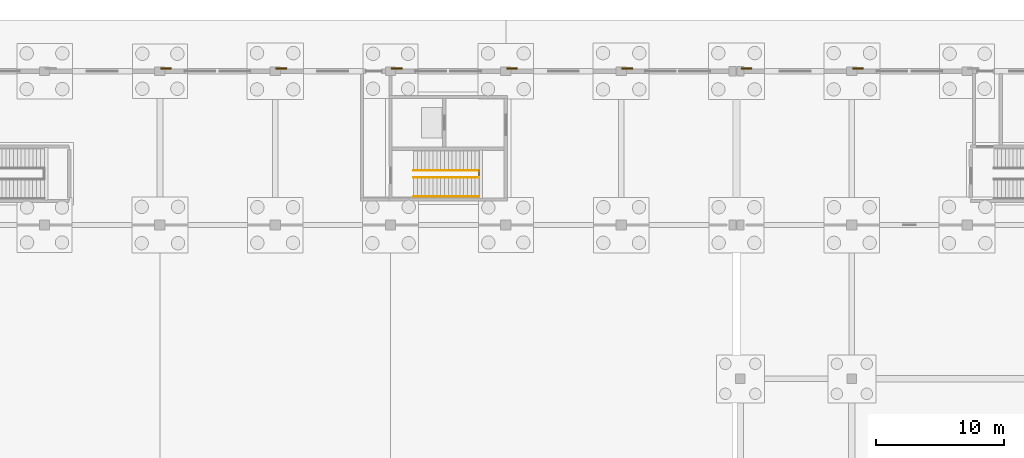
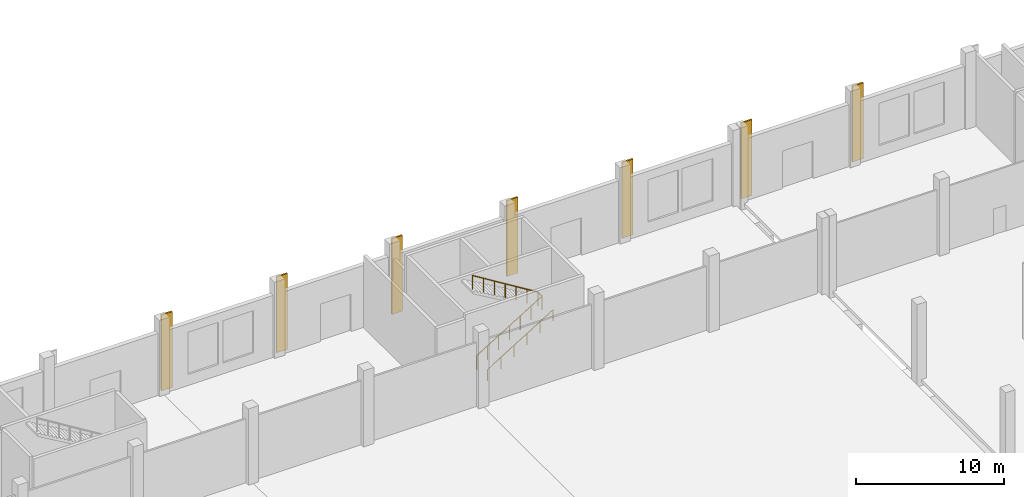
# One storey, part 97 of 99: 7 coverings, 4 railings.
"""IFC4 building model written with IfcOpenShell, lengths in metres."""

from ifc_helpers import new_model, si_unit, direction, frame, origin, origin_2d, place, context, subcontext, project, spatial, rectangle, circle, extrude, material, layer, layer_set, type_object, element, save


model = new_model("IFC4")

# Units and contexts
model_context = context("Model", 3, precision=1e-05, world=origin(), true_north=direction((0.0, 1.0)))
body_context = subcontext(model_context, "Body", "Model", "MODEL_VIEW")
ifc_project = project(units=[si_unit("LENGTHUNIT", "METRE"), si_unit("AREAUNIT", "SQUARE_METRE"), si_unit("VOLUMEUNIT", "CUBIC_METRE"), si_unit("PLANEANGLEUNIT", "RADIAN"), si_unit("MASSUNIT", "GRAM", prefix="KILO")], contexts=[model_context])

# Site, building, storey
site_placement = place(None, origin())
site = spatial("IfcSite", under=ifc_project, at=site_placement, CompositionType="ELEMENT")
building_placement = place(site_placement, origin())
building = spatial("IfcBuilding", under=site, at=building_placement, Name="Zacnel Wholesale Market", CompositionType="ELEMENT")
storey_placement = place(building_placement, origin())
storey = spatial("IfcBuildingStorey", under=building, at=storey_placement, Name="L01", CompositionType="ELEMENT", Elevation=0.0)

# Coverings
ifc_material_1 = material(Name="Honed Yucatan Maya cream limestone", Category="masonry")
ifc_layer = layer(ifc_material_1, 0.090087890625)
ifc_layer_set = layer_set([ifc_layer], Name="Honed Yucatan Maya cream limestone")
covering_type = type_object("IfcCoveringType", Name="COV-CLAD-FRET", PredefinedType="CLADDING", material=ifc_layer_set)
for number, where, z_axis, x_axis, name in (
    (1, (99.47998046875, 144.2099609375, 0.02001953125), (0.0, 0.0, 1.0), (1.0, 0.0, 0.0), "Fluted Mayan-Deco limestone pilaster L01-0065"),
    (2, (108.47998046875, 144.2099609375, 0.02001953125), (0.0, 0.0, 1.0), (1.0, 0.0, 0.0), "Fluted Mayan-Deco limestone pilaster L01-0066"),
    (3, (117.47998046875, 144.2099609375, 0.02001953125), (0.0, 0.0, 1.0), (1.0, 0.0, 0.0), "Fluted Mayan-Deco limestone pilaster L01-0067"),
    (4, (126.47998046875, 144.2099609375, 0.02001953125), (0.0, 0.0, 1.0), (1.0, 0.0, 0.0), "Fluted Mayan-Deco limestone pilaster L01-0068"),
    (5, (135.47998046875, 144.2099609375, 0.02001953125), (0.0, 0.0, 1.0), (1.0, 0.0, 0.0), "Fluted Mayan-Deco limestone pilaster L01-0069"),
    (6, (144.780029296875, 144.2099609375, 0.02001953125), (0.0, 0.0, 1.0), (1.0, 0.0, 0.0), "Fluted Mayan-Deco limestone pilaster L01-0070"),
    (7, (153.47998046875, 144.2099609375, 0.02001953125), (0.0, 0.0, 1.0), (1.0, 0.0, 0.0), "Fluted Mayan-Deco limestone pilaster L01-0071"),
):
    element("IfcCovering", number, at=place(storey_placement, frame(where, z_axis=z_axis, x_axis=x_axis)), inside=storey, type_object=covering_type, Name=name, PredefinedType="CLADDING", context=body_context, shape_type="SweptSolid", body=[
        extrude(rectangle(XDim=0.85009765625, YDim=0.1201171875, at=origin_2d()), origin(), (0.0, 0.0, 1.0), 6.260009765625),
    ])

# Railings
ifc_material_2 = material(Name="Galvanized steel", Category="steel")
railing_type_1 = type_object("IfcRailingType", Name="RAL-HANDRAIL-920", PredefinedType="HANDRAIL", material=ifc_material_2)
railing_1_placement = place(storey_placement, frame((118.81005859375, 134.2099609375, 0.0)))
element("IfcRailing", 8, at=railing_1_placement, inside=storey, type_object=railing_type_1, Name="Stair ST-14 wall handrail", PredefinedType="HANDRAIL", context=body_context, shape_type="SweptSolid", body=[
    extrude(circle(Radius=0.02099609375, at=origin_2d()), frame((0.0, 0.0, 0.89892578125), z_axis=(0.850798532938, 0.0, 0.525492013594), x_axis=(0.0, 1.0, 0.0)), (0.0, 0.0, 1.0), 5.994140625),
    extrude(circle(Radius=0.01806640625, at=origin_2d()), origin(), (0.0, 0.0, 1.0), 0.8779296875),
    extrude(circle(Radius=0.01806640625, at=origin_2d()), frame((1.02001953125, 0.0, 0.6298828125)), (0.0, 0.0, 1.0), 0.8779296875),
    extrude(circle(Radius=0.01806640625, at=origin_2d()), frame((2.0400390625, 0.0, 1.260009765625)), (0.0, 0.0, 1.0), 0.8779296875),
    extrude(circle(Radius=0.01806640625, at=origin_2d()), frame((3.059814453125, 0.0, 1.889892578125)), (0.0, 0.0, 1.0), 0.8779296875),
    extrude(circle(Radius=0.01806640625, at=origin_2d()), frame((4.079833984375, 0.0, 2.52001953125)), (0.0, 0.0, 1.0), 0.8779296875),
    extrude(circle(Radius=0.01806640625, at=origin_2d()), frame((5.099853515625, 0.0, 3.14990234375)), (0.0, 0.0, 1.0), 0.8779296875),
])
ifc_material_3 = material(Name="Galvanized steel", Category="steel")
railing_type_2 = type_object("IfcRailingType", Name="RAL-STAIR-GD1150", PredefinedType="BALUSTRADE", material=ifc_material_3)
railing_2_placement = place(storey_placement, frame((118.81005859375, 135.699951171875, 0.0)))
element("IfcRailing", 9, at=railing_2_placement, inside=storey, type_object=railing_type_2, Name="Stair balustrade INT-STAIR-ST-14-GDIN-1", PredefinedType="BALUSTRADE", context=body_context, shape_type="SweptSolid", body=[
    extrude(circle(Radius=0.02392578125, at=origin_2d()), frame((0.0, 0.0, 1.1259765625), z_axis=(0.850798532938, 0.0, 0.525492013594), x_axis=(0.0, 1.0, 0.0)), (0.0, 0.0, 1.0), 5.994140625),
    extrude(circle(Radius=0.02099609375, at=origin_2d()), origin(), (0.0, 0.0, 1.0), 1.101806640625),
    extrude(circle(Radius=0.02099609375, at=origin_2d()), frame((0.85009765625, 0.0, 0.52490234375)), (0.0, 0.0, 1.0), 1.101806640625),
    extrude(circle(Radius=0.02099609375, at=origin_2d()), frame((1.699951171875, 0.0, 1.050048828125)), (0.0, 0.0, 1.0), 1.101806640625),
    extrude(circle(Radius=0.02099609375, at=origin_2d()), frame((2.5498046875, 0.0, 1.574951171875)), (0.0, 0.0, 1.0), 1.101806640625),
    extrude(circle(Radius=0.02099609375, at=origin_2d()), frame((3.39990234375, 0.0, 2.099853515625)), (0.0, 0.0, 1.0), 1.101806640625),
    extrude(circle(Radius=0.02099609375, at=origin_2d()), frame((4.25, 0.0, 2.625)), (0.0, 0.0, 1.0), 1.101806640625),
    extrude(circle(Radius=0.02099609375, at=origin_2d()), frame((5.099853515625, 0.0, 3.14990234375)), (0.0, 0.0, 1.0), 1.101806640625),
])
railing_3_placement = place(storey_placement, frame((123.909912109375, 135.699951171875, 3.14990234375)))
element("IfcRailing", 10, at=railing_3_placement, inside=storey, type_object=railing_type_2, Name="Stair balustrade INT-STAIR-ST-14-GDIN-2", PredefinedType="BALUSTRADE", context=body_context, shape_type="SweptSolid", body=[
    extrude(circle(Radius=0.02392578125, at=origin_2d()), frame((0.0, 0.0, 1.1259765625), z_axis=(0.0, 1.0, 0.0), x_axis=(-1.0, 0.0, 0.0)), (0.0, 0.0, 1.0), 0.550048828125),
    extrude(circle(Radius=0.02099609375, at=origin_2d()), origin(), (0.0, 0.0, 1.0), 1.101806640625),
    extrude(circle(Radius=0.02099609375, at=origin_2d()), frame((0.0, 0.550048828125, 0.0)), (0.0, 0.0, 1.0), 1.101806640625),
])
railing_4_placement = place(storey_placement, frame((123.909912109375, 136.25, 3.14990234375)))
element("IfcRailing", 11, at=railing_4_placement, inside=storey, type_object=railing_type_2, Name="Stair balustrade INT-STAIR-ST-14-GDIN-3", PredefinedType="BALUSTRADE", context=body_context, shape_type="SweptSolid", body=[
    extrude(circle(Radius=0.02392578125, at=origin_2d()), frame((0.0, 0.0, 1.1259765625), z_axis=(-0.850780323153, 0.0, 0.525521495028), x_axis=(0.0, -1.0, 0.0)), (0.0, 0.0, 1.0), 5.994384765625),
    extrude(circle(Radius=0.02099609375, at=origin_2d()), origin(), (0.0, 0.0, 1.0), 1.101806640625),
    extrude(circle(Radius=0.02099609375, at=origin_2d()), frame((-0.85009765625, 0.0, 0.52490234375)), (0.0, 0.0, 1.0), 1.101806640625),
    extrude(circle(Radius=0.02099609375, at=origin_2d()), frame((-1.699951171875, 0.0, 1.050048828125)), (0.0, 0.0, 1.0), 1.101806640625),
    extrude(circle(Radius=0.02099609375, at=origin_2d()), frame((-2.5498046875, 0.0, 1.5751953125)), (0.0, 0.0, 1.0), 1.101806640625),
    extrude(circle(Radius=0.02099609375, at=origin_2d()), frame((-3.39990234375, 0.0, 2.10009765625)), (0.0, 0.0, 1.0), 1.101806640625),
    extrude(circle(Radius=0.02099609375, at=origin_2d()), frame((-4.25, 0.0, 2.625)), (0.0, 0.0, 1.0), 1.101806640625),
    extrude(circle(Radius=0.02099609375, at=origin_2d()), frame((-5.099853515625, 0.0, 3.150146484375)), (0.0, 0.0, 1.0), 1.101806640625),
])

save(model, "model.ifc")
